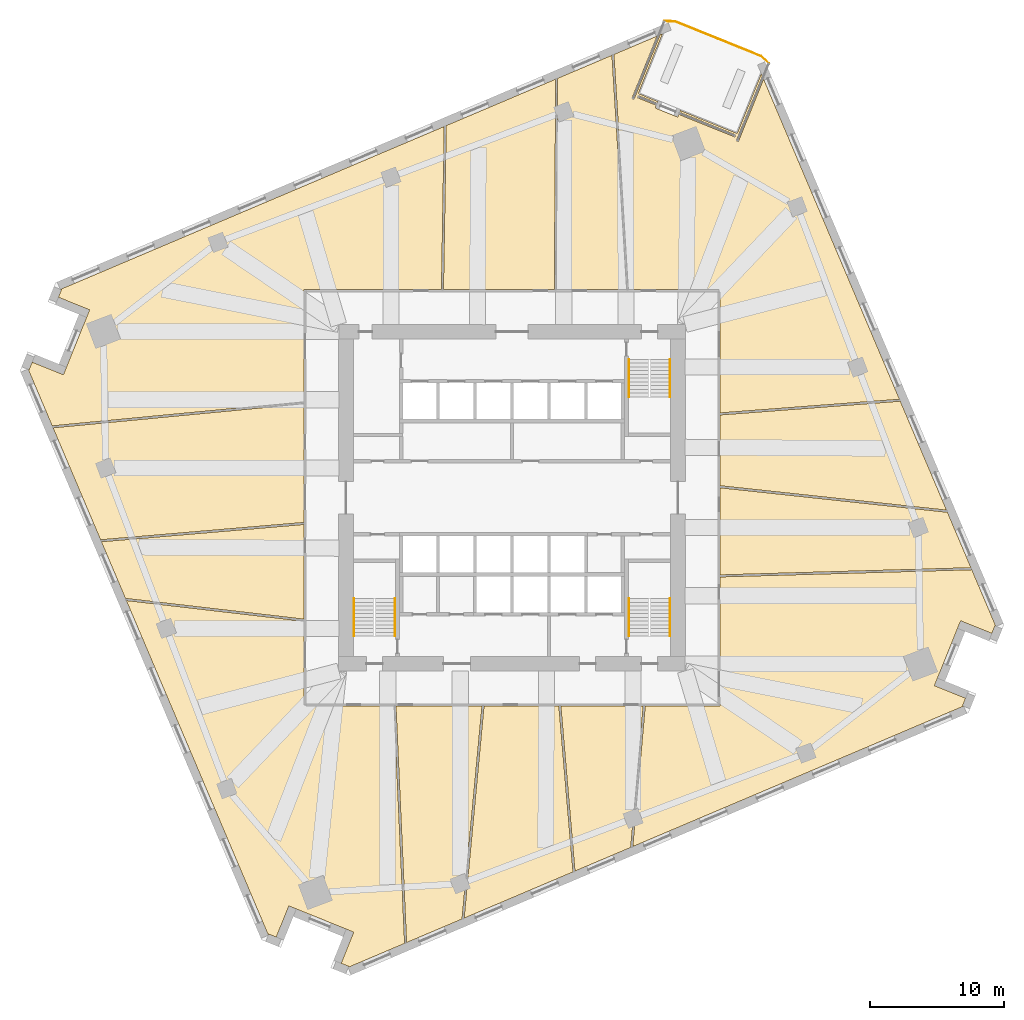
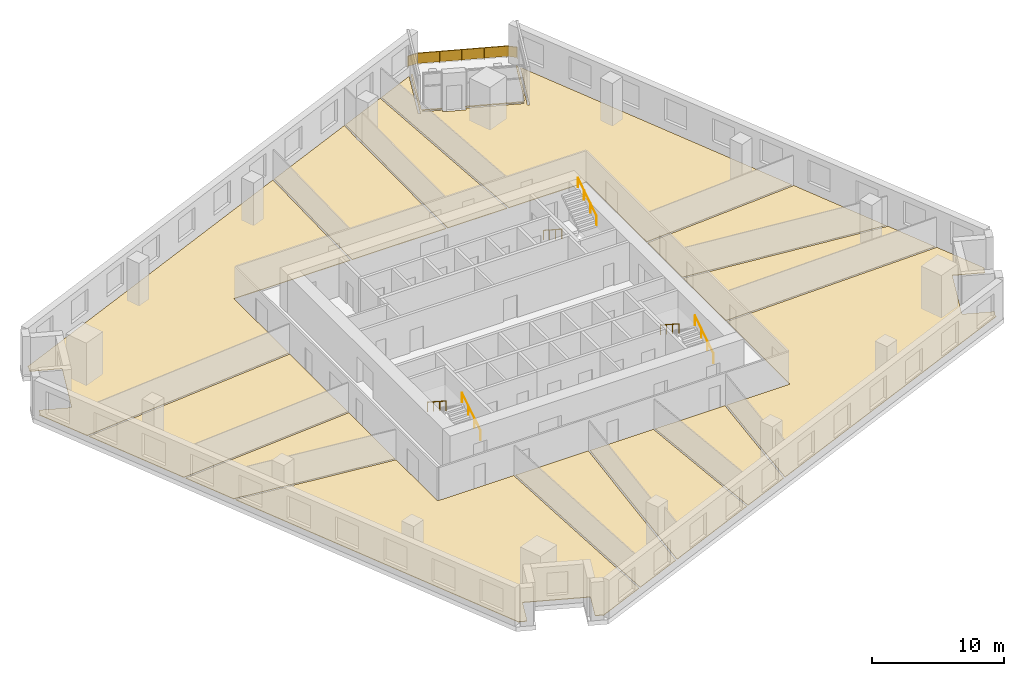
# One storey, part 11 of 12: 13 coverings, 7 railings.
"""IFC4 building model written with IfcOpenShell, lengths in metres."""

from ifc_helpers import new_model, si_unit, direction, frame, origin, origin_2d, place, context, subcontext, project, spatial, polyline, rectangle, circle, outline, extrude, material, layer, layer_set, type_object, element, save


model = new_model("IFC4")

# Units and contexts
model_context = context("Model", 3, precision=1e-05, world=origin(), true_north=direction((0.0, 1.0)))
body_context = subcontext(model_context, "Body", "Model", "MODEL_VIEW")
ifc_project = project(units=[si_unit("LENGTHUNIT", "METRE"), si_unit("AREAUNIT", "SQUARE_METRE"), si_unit("VOLUMEUNIT", "CUBIC_METRE"), si_unit("PLANEANGLEUNIT", "RADIAN"), si_unit("MASSUNIT", "GRAM", prefix="KILO")], contexts=[model_context])

# Site, building, storey
site_placement = place(None, origin())
site = spatial("IfcSite", under=ifc_project, at=site_placement, CompositionType="ELEMENT")
building_placement = place(site_placement, origin())
building = spatial("IfcBuilding", under=site, at=building_placement, Name="Dilmun Exchange Tower", CompositionType="ELEMENT")
storey_placement = place(building_placement, frame((0.0, 0.0, 118.10009765625)))
storey = spatial("IfcBuildingStorey", under=building, at=storey_placement, Name="L27", CompositionType="ELEMENT", Elevation=118.10009765625)

# Coverings
ifc_material_1 = material(Name="Carpet floor finish 50")
ifc_layer_1 = layer(ifc_material_1, 0.050048828125)
ifc_layer_set_1 = layer_set([ifc_layer_1], Name="Carpet floor finish 50")
covering_type_1 = type_object("IfcCoveringType", Name="Carpet floor finish 50", PredefinedType="FLOORING", material=ifc_layer_set_1)
covering_1_placement = place(storey_placement, origin())
element("IfcCovering", 1, at=covering_1_placement, inside=storey, type_object=covering_type_1, Name="Carpet floor finish 50 Analyst office 1", PredefinedType="FLOORING", context=body_context, shape_type="SweptSolid", body=[
    extrude(outline(polyline([(-15.47509765625, 6.990966796875), (-15.47509765625, -1.836669921875), (-30.609375, -3.127197265625), (-34.145263671875, 5.20263671875), (-15.47509765625, 6.990966796875)])), origin(), (0.0, 0.0, 1.0), 0.0498046875),
])
covering_2_placement = place(storey_placement, origin())
element("IfcCovering", 2, at=covering_2_placement, inside=storey, type_object=covering_type_1, Name="Carpet floor finish 50 Meeting room 1", PredefinedType="FLOORING", context=body_context, shape_type="SweptSolid", body=[
    extrude(outline(polyline([(-15.47509765625, -1.987060546875), (-15.47509765625, -9.032470703125), (-28.758544921875, -7.4873046875), (-30.547607421875, -3.272705078125), (-15.47509765625, -1.987060546875)])), origin(), (0.0, 0.0, 1.0), 0.0498046875),
])
covering_3_placement = place(storey_placement, origin())
element("IfcCovering", 3, at=covering_3_placement, inside=storey, type_object=covering_type_1, Name="Carpet floor finish 50 Open office 1", PredefinedType="FLOORING", context=body_context, shape_type="SweptSolid", body=[
    extrude(outline(polyline([(-5.24853515625, 15.47509765625), (-15.47509765625, 15.47509765625), (-15.47509765625, 7.1416015625), (-34.206787109375, 5.347412109375), (-35.99072265625, 9.55029296875), (-35.9248046875, 9.523681640625), (-35.9248046875, 9.523681640625), (-35.924560546875, 9.523681640625), (-35.92431640625, 9.5234375), (-35.924072265625, 9.5234375), (-35.923828125, 9.5234375), (-35.923583984375, 9.523681640625), (-35.923583984375, 9.523681640625), (-35.92333984375, 9.523681640625), (-35.923095703125, 9.523681640625), (-35.923095703125, 9.52392578125), (-35.9228515625, 9.52392578125), (-35.922607421875, 9.524169921875), (-35.922607421875, 9.5244140625), (-35.922607421875, 9.5244140625), (-35.92236328125, 9.524658203125), (-35.92236328125, 9.52490234375), (-35.694091796875, 10.089599609375), (-33.3779296875, 9.154052734375), (-33.377685546875, 9.15380859375), (-33.377685546875, 9.15380859375), (-33.37744140625, 9.15380859375), (-33.377197265625, 9.15380859375), (-33.377197265625, 9.15380859375), (-33.376953125, 9.15380859375), (-33.376708984375, 9.15380859375), (-33.37646484375, 9.154052734375), (-33.376220703125, 9.154052734375), (-33.376220703125, 9.154296875), (-33.3759765625, 9.154296875), (-33.3759765625, 9.154296875), (-33.375732421875, 9.154541015625), (-33.37548828125, 9.15478515625), (-33.37548828125, 9.15478515625), (-33.37548828125, 9.155029296875), (-33.15087890625, 9.7109375), (-33.15087890625, 9.7109375), (-33.150634765625, 9.711181640625), (-33.150634765625, 9.71142578125), (-31.652099609375, 13.420166015625), (-31.652099609375, 13.42041015625), (-31.652099609375, 13.42041015625), (-31.652099609375, 13.42041015625), (-31.427490234375, 13.976318359375), (-31.427490234375, 13.9765625), (-31.427490234375, 13.976806640625), (-31.42724609375, 13.97705078125), (-31.42724609375, 13.977294921875), (-31.42724609375, 13.977294921875), (-31.427490234375, 13.9775390625), (-31.427490234375, 13.977783203125), (-31.427490234375, 13.977783203125), (-31.427490234375, 13.97802734375), (-31.427734375, 13.978271484375), (-31.427734375, 13.978515625), (-31.427978515625, 13.978515625), (-31.427978515625, 13.978759765625), (-31.42822265625, 13.978759765625), (-31.428466796875, 13.97900390625), (-31.4287109375, 13.97900390625), (-33.74462890625, 14.914794921875), (-33.516357421875, 15.479736328125), (-33.516357421875, 15.47998046875), (-33.516357421875, 15.47998046875), (-33.516357421875, 15.480224609375), (-33.51611328125, 15.48046875), (-33.516357421875, 15.480712890625), (-33.516357421875, 15.480712890625), (-33.516357421875, 15.48095703125), (-33.516357421875, 15.481201171875), (-33.5166015625, 15.4814453125), (-33.5166015625, 15.4814453125), (-33.5166015625, 15.481689453125), (-33.516845703125, 15.481689453125), (-33.51708984375, 15.48193359375), (-33.51708984375, 15.482177734375), (-33.517333984375, 15.482177734375), (-33.517578125, 15.482421875), (-33.583251953125, 15.5087890625), (-5.043701171875, 27.623291015625), (-5.24853515625, 15.47509765625)])), origin(), (0.0, 0.0, 1.0), 0.0498046875),
])
covering_4_placement = place(storey_placement, origin())
element("IfcCovering", 4, at=covering_4_placement, inside=storey, type_object=covering_type_1, Name="Carpet floor finish 50 Open office 2", PredefinedType="FLOORING", context=body_context, shape_type="SweptSolid", body=[
    extrude(outline(polyline([(-15.47509765625, -9.183349609375), (-15.47509765625, -15.47509765625), (-8.78125, -15.47509765625), (-7.990234375, -33.15576171875), (-12.172607421875, -34.93115234375), (-12.146240234375, -34.865478515625), (-12.14599609375, -34.865234375), (-12.14599609375, -34.864990234375), (-12.14599609375, -34.86474609375), (-12.14599609375, -34.864501953125), (-12.14599609375, -34.864501953125), (-12.14599609375, -34.8642578125), (-12.14599609375, -34.864013671875), (-12.146240234375, -34.864013671875), (-12.146240234375, -34.86376953125), (-12.146484375, -34.863525390625), (-12.146484375, -34.86328125), (-12.146484375, -34.86328125), (-12.146728515625, -34.863037109375), (-12.14697265625, -34.863037109375), (-12.147216796875, -34.86279296875), (-12.147216796875, -34.86279296875), (-12.712158203125, -34.634521484375), (-11.7763671875, -32.318359375), (-11.7763671875, -32.318359375), (-11.7763671875, -32.318115234375), (-11.7763671875, -32.31787109375), (-11.776123046875, -32.317626953125), (-11.7763671875, -32.3173828125), (-11.7763671875, -32.3173828125), (-11.7763671875, -32.317138671875), (-11.7763671875, -32.31689453125), (-11.776611328125, -32.316650390625), (-11.776611328125, -32.316650390625), (-11.776611328125, -32.31640625), (-11.77685546875, -32.31640625), (-11.777099609375, -32.316162109375), (-11.777099609375, -32.31591796875), (-11.77734375, -32.31591796875), (-11.777587890625, -32.31591796875), (-12.333740234375, -32.091064453125), (-12.333984375, -32.091064453125), (-12.334228515625, -32.0908203125), (-12.334228515625, -32.0908203125), (-16.042236328125, -30.5927734375), (-16.042236328125, -30.5927734375), (-16.04248046875, -30.5927734375), (-16.04248046875, -30.592529296875), (-16.598876953125, -30.367919921875), (-16.59912109375, -30.367919921875), (-16.599365234375, -30.367919921875), (-16.599609375, -30.36767578125), (-16.599609375, -30.36767578125), (-16.599853515625, -30.36767578125), (-16.60009765625, -30.367919921875), (-16.600341796875, -30.367919921875), (-16.600341796875, -30.367919921875), (-16.6005859375, -30.367919921875), (-16.600830078125, -30.3681640625), (-16.600830078125, -30.3681640625), (-16.60107421875, -30.368408203125), (-16.601318359375, -30.368408203125), (-16.601318359375, -30.36865234375), (-16.601318359375, -30.368896484375), (-16.6015625, -30.368896484375), (-17.537353515625, -32.68505859375), (-18.102294921875, -32.456787109375), (-18.102294921875, -32.456787109375), (-18.1025390625, -32.456787109375), (-18.102783203125, -32.456787109375), (-18.102783203125, -32.456787109375), (-18.10302734375, -32.456787109375), (-18.103271484375, -32.456787109375), (-18.103515625, -32.456787109375), (-18.103759765625, -32.456787109375), (-18.10400390625, -32.45703125), (-18.10400390625, -32.45703125), (-18.104248046875, -32.457275390625), (-18.104248046875, -32.457275390625), (-18.1044921875, -32.45751953125), (-18.1044921875, -32.45751953125), (-18.104736328125, -32.457763671875), (-18.104736328125, -32.4580078125), (-18.13134765625, -32.523681640625), (-28.691162109375, -7.646240234375), (-15.47509765625, -9.183349609375)])), origin(), (0.0, 0.0, 1.0), 0.0498046875),
])
covering_5_placement = place(storey_placement, origin())
element("IfcCovering", 5, at=covering_5_placement, inside=storey, type_object=covering_type_1, Name="Carpet floor finish 50 Advisory office", PredefinedType="FLOORING", context=body_context, shape_type="SweptSolid", body=[
    extrude(outline(polyline([(3.1484375, 15.47509765625), (-5.098388671875, 15.47509765625), (-4.892578125, 27.687255859375), (3.248046875, 31.142822265625), (3.1484375, 15.47509765625)])), origin(), (0.0, 0.0, 1.0), 0.0498046875),
])
covering_6_placement = place(storey_placement, origin())
element("IfcCovering", 6, at=covering_6_placement, inside=storey, type_object=covering_type_1, Name="Carpet floor finish 50 Analyst office 2", PredefinedType="FLOORING", context=body_context, shape_type="SweptSolid", body=[
    extrude(outline(polyline([(-2.080810546875, -15.47509765625), (3.4833984375, -15.47509765625), (4.538330078125, -27.837646484375), (-3.56201171875, -31.276123046875), (-2.080810546875, -15.47509765625)])), origin(), (0.0, 0.0, 1.0), 0.0498046875),
])
covering_7_placement = place(storey_placement, origin())
element("IfcCovering", 7, at=covering_7_placement, inside=storey, type_object=covering_type_1, Name="Carpet floor finish 50 Meeting room 2", PredefinedType="FLOORING", context=body_context, shape_type="SweptSolid", body=[
    extrude(outline(polyline([(8.51708984375, 15.47509765625), (3.298583984375, 15.47509765625), (3.3984375, 31.206787109375), (7.435546875, 32.92041015625), (8.51708984375, 15.47509765625)])), origin(), (0.0, 0.0, 1.0), 0.0498046875),
])
covering_8_placement = place(storey_placement, origin())
element("IfcCovering", 8, at=covering_8_placement, inside=storey, type_object=covering_type_1, Name="Carpet floor finish 50 Meeting room 3", PredefinedType="FLOORING", context=body_context, shape_type="SweptSolid", body=[
    extrude(outline(polyline([(3.634033203125, -15.47509765625), (9.7626953125, -15.47509765625), (8.82958984375, -26.01611328125), (4.68359375, -27.77587890625), (3.634033203125, -15.47509765625)])), origin(), (0.0, 0.0, 1.0), 0.0498046875),
])
covering_9_placement = place(storey_placement, origin())
element("IfcCovering", 9, at=covering_9_placement, inside=storey, type_object=covering_type_1, Name="Carpet floor finish 50 Garden lounge", PredefinedType="FLOORING", context=body_context, shape_type="SweptSolid", body=[
    extrude(outline(polyline([(10.847412109375, 29.485107421875), (10.7939453125, 29.3525390625), (9.4150390625, 29.90966796875), (9.414794921875, 29.90966796875), (9.41455078125, 29.90966796875), (9.414306640625, 29.909912109375), (9.414306640625, 29.909912109375), (9.4140625, 29.909912109375), (9.413818359375, 29.90966796875), (9.413818359375, 29.90966796875), (9.41357421875, 29.90966796875), (9.413330078125, 29.909423828125), (9.4130859375, 29.909423828125), (9.4130859375, 29.9091796875), (9.412841796875, 29.9091796875), (9.41259765625, 29.908935546875), (9.41259765625, 29.908935546875), (9.41259765625, 29.90869140625), (9.412353515625, 29.908447265625), (9.3525390625, 29.76025390625), (9.352294921875, 29.760009765625), (9.352294921875, 29.759765625), (9.352294921875, 29.759521484375), (9.352294921875, 29.759521484375), (9.352294921875, 29.75927734375), (9.352294921875, 29.759033203125), (9.352294921875, 29.7587890625), (9.3525390625, 29.758544921875), (9.3525390625, 29.758544921875), (9.352783203125, 29.75830078125), (9.352783203125, 29.758056640625), (9.352783203125, 29.758056640625), (9.35302734375, 29.7578125), (9.353271484375, 29.7578125), (9.353515625, 29.7578125), (9.353515625, 29.757568359375), (10.732421875, 29.200439453125), (10.65087890625, 28.998291015625), (10.650634765625, 28.998291015625), (10.650634765625, 28.998046875), (10.650634765625, 28.997802734375), (10.650634765625, 28.99755859375), (10.650634765625, 28.997314453125), (10.650634765625, 28.997314453125), (10.650634765625, 28.9970703125), (10.65087890625, 28.996826171875), (10.65087890625, 28.99658203125), (10.65087890625, 28.99658203125), (10.651123046875, 28.996337890625), (10.651123046875, 28.99609375), (10.6513671875, 28.99609375), (10.651611328125, 28.99609375), (10.651611328125, 28.995849609375), (10.65185546875, 28.995849609375), (12.32080078125, 28.321533203125), (12.321044921875, 28.3212890625), (12.321044921875, 28.3212890625), (12.3212890625, 28.3212890625), (12.321533203125, 28.3212890625), (12.32177734375, 28.3212890625), (12.322021484375, 28.3212890625), (12.322021484375, 28.3212890625), (12.322265625, 28.321533203125), (12.322509765625, 28.321533203125), (12.322509765625, 28.32177734375), (12.32275390625, 28.32177734375), (12.322998046875, 28.322021484375), (12.322998046875, 28.322021484375), (12.3232421875, 28.322265625), (12.3232421875, 28.322509765625), (12.323486328125, 28.322509765625), (12.405029296875, 28.524658203125), (16.5654296875, 26.84375), (16.565673828125, 26.84375), (16.56591796875, 26.84375), (16.56591796875, 26.843505859375), (16.566162109375, 26.843505859375), (16.56640625, 26.843505859375), (16.56640625, 26.84375), (16.566650390625, 26.84375), (16.56689453125, 26.84375), (16.567138671875, 26.843994140625), (16.5673828125, 26.843994140625), (16.5673828125, 26.843994140625), (16.567626953125, 26.84423828125), (16.567626953125, 26.844482421875), (16.56787109375, 26.844482421875), (16.56787109375, 26.8447265625), (16.568115234375, 26.844970703125), (16.6279296875, 26.9931640625), (16.6279296875, 26.993408203125), (16.6279296875, 26.99365234375), (16.628173828125, 26.993896484375), (16.628173828125, 26.993896484375), (16.628173828125, 26.994140625), (16.6279296875, 26.994384765625), (16.6279296875, 26.99462890625), (16.6279296875, 26.994873046875), (16.627685546875, 26.994873046875), (16.627685546875, 26.9951171875), (16.627685546875, 26.995361328125), (16.62744140625, 26.995361328125), (16.627197265625, 26.99560546875), (16.627197265625, 26.99560546875), (16.626953125, 26.99560546875), (16.626708984375, 26.995849609375), (12.466552734375, 28.6767578125), (12.52001953125, 28.809326171875), (16.75, 27.100341796875), (18.546142578125, 31.54638671875), (18.625244140625, 31.360107421875), (16.685791015625, 26.56005859375), (16.685791015625, 26.559814453125), (16.685791015625, 26.5595703125), (16.685791015625, 26.559326171875), (16.685791015625, 26.559326171875), (16.685791015625, 26.55908203125), (16.685791015625, 26.558837890625), (16.685791015625, 26.55859375), (16.685791015625, 26.55859375), (16.68603515625, 26.558349609375), (16.68603515625, 26.55810546875), (16.686279296875, 26.55810546875), (16.686279296875, 26.557861328125), (16.6865234375, 26.5576171875), (16.6865234375, 26.5576171875), (16.686767578125, 26.5576171875), (16.68701171875, 26.557373046875), (16.835205078125, 26.49755859375), (16.83544921875, 26.497314453125), (16.835693359375, 26.497314453125), (16.8359375, 26.497314453125), (16.836181640625, 26.497314453125), (16.836181640625, 26.497314453125), (16.83642578125, 26.497314453125), (16.836669921875, 26.497314453125), (16.8369140625, 26.49755859375), (16.8369140625, 26.49755859375), (16.837158203125, 26.497802734375), (16.83740234375, 26.497802734375), (16.83740234375, 26.497802734375), (16.837646484375, 26.498046875), (16.837646484375, 26.498291015625), (16.837890625, 26.498291015625), (16.837890625, 26.49853515625), (18.7158203125, 31.146484375), (28.826171875, 7.32861328125), (15.47509765625, 6.310791015625), (15.47509765625, 15.47509765625), (8.66748046875, 15.47509765625), (7.58203125, 32.982421875), (10.795654296875, 34.3466796875), (8.917724609375, 29.698486328125), (8.917724609375, 29.6982421875), (8.917724609375, 29.697998046875), (8.91748046875, 29.697998046875), (8.91748046875, 29.69775390625), (8.91748046875, 29.697509765625), (8.917724609375, 29.697509765625), (8.917724609375, 29.697265625), (8.917724609375, 29.697021484375), (8.91796875, 29.69677734375), (8.91796875, 29.696533203125), (8.918212890625, 29.696533203125), (8.918212890625, 29.6962890625), (8.91845703125, 29.6962890625), (8.91845703125, 29.696044921875), (8.918701171875, 29.696044921875), (8.9189453125, 29.69580078125), (9.067138671875, 29.635986328125), (9.0673828125, 29.635986328125), (9.067626953125, 29.635986328125), (9.06787109375, 29.6357421875), (9.068115234375, 29.6357421875), (9.068115234375, 29.6357421875), (9.068359375, 29.635986328125), (9.068603515625, 29.635986328125), (9.06884765625, 29.635986328125), (9.06884765625, 29.635986328125), (9.069091796875, 29.63623046875), (9.0693359375, 29.63623046875), (9.0693359375, 29.636474609375), (9.069580078125, 29.63671875), (9.069580078125, 29.63671875), (9.069580078125, 29.636962890625), (9.06982421875, 29.63720703125), (11.00927734375, 34.437255859375), (11.1953125, 34.516357421875), (9.399169921875, 30.0703125), (10.847412109375, 29.485107421875)])), origin(), (0.0, 0.0, 1.0), 0.0498046875),
])
covering_10_placement = place(storey_placement, origin())
element("IfcCovering", 10, at=covering_10_placement, inside=storey, type_object=covering_type_1, Name="Carpet floor finish 50 Open office 3", PredefinedType="FLOORING", context=body_context, shape_type="SweptSolid", body=[
    extrude(outline(polyline([(9.913330078125, -15.47509765625), (15.47509765625, -15.47509765625), (15.47509765625, -5.889404296875), (34.20947265625, -5.35400390625), (35.99072265625, -9.55029296875), (35.9248046875, -9.523681640625), (35.9248046875, -9.523681640625), (35.924560546875, -9.523681640625), (35.92431640625, -9.5234375), (35.924072265625, -9.5234375), (35.923828125, -9.5234375), (35.923583984375, -9.523681640625), (35.923583984375, -9.523681640625), (35.92333984375, -9.523681640625), (35.923095703125, -9.523681640625), (35.923095703125, -9.52392578125), (35.9228515625, -9.52392578125), (35.922607421875, -9.524169921875), (35.922607421875, -9.5244140625), (35.922607421875, -9.5244140625), (35.92236328125, -9.524658203125), (35.92236328125, -9.52490234375), (35.694091796875, -10.089599609375), (33.3779296875, -9.154052734375), (33.377685546875, -9.15380859375), (33.377685546875, -9.15380859375), (33.37744140625, -9.15380859375), (33.377197265625, -9.15380859375), (33.377197265625, -9.15380859375), (33.376953125, -9.15380859375), (33.376708984375, -9.15380859375), (33.37646484375, -9.154052734375), (33.376220703125, -9.154052734375), (33.376220703125, -9.154296875), (33.3759765625, -9.154296875), (33.3759765625, -9.154296875), (33.375732421875, -9.154541015625), (33.37548828125, -9.15478515625), (33.37548828125, -9.15478515625), (33.37548828125, -9.155029296875), (33.15087890625, -9.7109375), (33.15087890625, -9.7109375), (33.150634765625, -9.711181640625), (33.150634765625, -9.71142578125), (31.652099609375, -13.420166015625), (31.652099609375, -13.42041015625), (31.652099609375, -13.42041015625), (31.652099609375, -13.42041015625), (31.427490234375, -13.976318359375), (31.427490234375, -13.9765625), (31.427490234375, -13.976806640625), (31.42724609375, -13.97705078125), (31.42724609375, -13.977294921875), (31.42724609375, -13.977294921875), (31.427490234375, -13.9775390625), (31.427490234375, -13.977783203125), (31.427490234375, -13.977783203125), (31.427490234375, -13.97802734375), (31.427734375, -13.978271484375), (31.427734375, -13.978515625), (31.427978515625, -13.978515625), (31.427978515625, -13.978759765625), (31.42822265625, -13.978759765625), (31.428466796875, -13.97900390625), (31.4287109375, -13.97900390625), (33.74462890625, -14.914794921875), (33.516357421875, -15.479736328125), (33.516357421875, -15.47998046875), (33.516357421875, -15.47998046875), (33.516357421875, -15.480224609375), (33.51611328125, -15.48046875), (33.516357421875, -15.480712890625), (33.516357421875, -15.480712890625), (33.516357421875, -15.48095703125), (33.516357421875, -15.481201171875), (33.5166015625, -15.4814453125), (33.5166015625, -15.4814453125), (33.5166015625, -15.481689453125), (33.516845703125, -15.481689453125), (33.51708984375, -15.48193359375), (33.51708984375, -15.482177734375), (33.517333984375, -15.482177734375), (33.517578125, -15.482421875), (33.583251953125, -15.5087890625), (8.986083984375, -25.94970703125), (9.913330078125, -15.47509765625)])), origin(), (0.0, 0.0, 1.0), 0.0498046875),
])
covering_11_placement = place(storey_placement, origin())
element("IfcCovering", 11, at=covering_11_placement, inside=storey, type_object=covering_type_1, Name="Carpet floor finish 50 Break-out lounge", PredefinedType="FLOORING", context=body_context, shape_type="SweptSolid", body=[
    extrude(outline(polyline([(15.47509765625, 0.894287109375), (15.47509765625, 6.160400390625), (28.887939453125, 7.182861328125), (32.32763671875, -0.9208984375), (15.47509765625, 0.894287109375)])), origin(), (0.0, 0.0, 1.0), 0.0498046875),
])
covering_12_placement = place(storey_placement, origin())
element("IfcCovering", 12, at=covering_12_placement, inside=storey, type_object=covering_type_1, Name="Carpet floor finish 50 Analyst office 3", PredefinedType="FLOORING", context=body_context, shape_type="SweptSolid", body=[
    extrude(outline(polyline([(15.47509765625, -5.739501953125), (15.47509765625, 0.74365234375), (32.394775390625, -1.078857421875), (34.146484375, -5.20556640625), (15.47509765625, -5.739501953125)])), origin(), (0.0, 0.0, 1.0), 0.0498046875),
])

# Railings
ifc_material_2 = material(Name="Stainless steel", Category="steel")
railing_type_1 = type_object("IfcRailingType", Name="Stair handrail 900", PredefinedType="HANDRAIL", material=ifc_material_2)
railing_1_placement = place(storey_placement, frame((8.699951171875, 10.300048828125, 0.181640625)))
element("IfcRailing", 13, at=railing_1_placement, inside=storey, type_object=railing_type_1, Name="L27 ST1 stair handrail 1", PredefinedType="HANDRAIL", context=body_context, shape_type="SweptSolid", body=[
    extrude(circle(Radius=0.02392578125, at=origin_2d()), frame((0.0, 0.0, 0.8759765625), z_axis=(0.0, -0.838672427954, 0.544636170843), x_axis=(1.0, 0.0, 0.0)), (0.0, 0.0, 1.0), 3.338623046875),
    extrude(circle(Radius=0.02099609375, at=origin_2d()), origin(), (0.0, 0.0, 1.0), 0.851806640625),
    extrude(circle(Radius=0.02099609375, at=origin_2d()), frame((0.0, -0.933349609375, 0.606201171875)), (0.0, 0.0, 1.0), 0.851806640625),
    extrude(circle(Radius=0.02099609375, at=origin_2d()), frame((0.0, -1.86669921875, 1.212158203125)), (0.0, 0.0, 1.0), 0.851806640625),
    extrude(circle(Radius=0.02099609375, at=origin_2d()), frame((0.0, -2.800048828125, 1.818359375)), (0.0, 0.0, 1.0), 0.851806640625),
])
for number, where, name in (
    (14, (11.75, 7.5, 2.181640625), "L27 ST1 stair handrail 2"),
    (15, (-8.699951171875, -10.300048828125, 0.181640625), "L27 ST2 stair handrail 1"),
):
    element("IfcRailing", number, at=place(storey_placement, frame(where)), inside=storey, type_object=railing_type_1, Name=name, PredefinedType="HANDRAIL", context=body_context, shape_type="SweptSolid", body=[
        extrude(circle(Radius=0.02392578125, at=origin_2d()), frame((0.0, 0.0, 0.8759765625), z_axis=(0.0, 0.838672427954, 0.544636170843), x_axis=(-1.0, 0.0, 0.0)), (0.0, 0.0, 1.0), 3.338623046875),
        extrude(circle(Radius=0.02099609375, at=origin_2d()), origin(), (0.0, 0.0, 1.0), 0.851806640625),
        extrude(circle(Radius=0.02099609375, at=origin_2d()), frame((0.0, 0.933349609375, 0.606201171875)), (0.0, 0.0, 1.0), 0.851806640625),
        extrude(circle(Radius=0.02099609375, at=origin_2d()), frame((0.0, 1.86669921875, 1.212158203125)), (0.0, 0.0, 1.0), 0.851806640625),
        extrude(circle(Radius=0.02099609375, at=origin_2d()), frame((0.0, 2.800048828125, 1.818359375)), (0.0, 0.0, 1.0), 0.851806640625),
    ])
railing_2_placement = place(storey_placement, frame((-11.75, -7.5, 2.181640625)))
element("IfcRailing", 16, at=railing_2_placement, inside=storey, type_object=railing_type_1, Name="L27 ST2 stair handrail 2", PredefinedType="HANDRAIL", context=body_context, shape_type="SweptSolid", body=[
    extrude(circle(Radius=0.02392578125, at=origin_2d()), frame((0.0, 0.0, 0.8759765625), z_axis=(0.0, -0.838672427954, 0.544636170843), x_axis=(1.0, 0.0, 0.0)), (0.0, 0.0, 1.0), 3.338623046875),
    extrude(circle(Radius=0.02099609375, at=origin_2d()), origin(), (0.0, 0.0, 1.0), 0.851806640625),
    extrude(circle(Radius=0.02099609375, at=origin_2d()), frame((0.0, -0.933349609375, 0.606201171875)), (0.0, 0.0, 1.0), 0.851806640625),
    extrude(circle(Radius=0.02099609375, at=origin_2d()), frame((0.0, -1.86669921875, 1.212158203125)), (0.0, 0.0, 1.0), 0.851806640625),
    extrude(circle(Radius=0.02099609375, at=origin_2d()), frame((0.0, -2.800048828125, 1.818359375)), (0.0, 0.0, 1.0), 0.851806640625),
])
railing_3_placement = place(storey_placement, frame((11.75, -10.300048828125, 0.181640625)))
element("IfcRailing", 17, at=railing_3_placement, inside=storey, type_object=railing_type_1, Name="L27 ST3 stair handrail 1", PredefinedType="HANDRAIL", context=body_context, shape_type="SweptSolid", body=[
    extrude(circle(Radius=0.02392578125, at=origin_2d()), frame((0.0, 0.0, 0.8759765625), z_axis=(0.0, 0.838672427954, 0.544636170843), x_axis=(-1.0, 0.0, 0.0)), (0.0, 0.0, 1.0), 3.338623046875),
    extrude(circle(Radius=0.02099609375, at=origin_2d()), origin(), (0.0, 0.0, 1.0), 0.851806640625),
    extrude(circle(Radius=0.02099609375, at=origin_2d()), frame((0.0, 0.933349609375, 0.606201171875)), (0.0, 0.0, 1.0), 0.851806640625),
    extrude(circle(Radius=0.02099609375, at=origin_2d()), frame((0.0, 1.86669921875, 1.212158203125)), (0.0, 0.0, 1.0), 0.851806640625),
    extrude(circle(Radius=0.02099609375, at=origin_2d()), frame((0.0, 2.800048828125, 1.818359375)), (0.0, 0.0, 1.0), 0.851806640625),
])
railing_4_placement = place(storey_placement, frame((8.699951171875, -7.5, 2.181640625)))
element("IfcRailing", 18, at=railing_4_placement, inside=storey, type_object=railing_type_1, Name="L27 ST3 stair handrail 2", PredefinedType="HANDRAIL", context=body_context, shape_type="SweptSolid", body=[
    extrude(circle(Radius=0.02392578125, at=origin_2d()), frame((0.0, 0.0, 0.8759765625), z_axis=(0.0, -0.838672427954, 0.544636170843), x_axis=(1.0, 0.0, 0.0)), (0.0, 0.0, 1.0), 3.338623046875),
    extrude(circle(Radius=0.02099609375, at=origin_2d()), origin(), (0.0, 0.0, 1.0), 0.851806640625),
    extrude(circle(Radius=0.02099609375, at=origin_2d()), frame((0.0, -0.933349609375, 0.606201171875)), (0.0, 0.0, 1.0), 0.851806640625),
    extrude(circle(Radius=0.02099609375, at=origin_2d()), frame((0.0, -1.86669921875, 1.212158203125)), (0.0, 0.0, 1.0), 0.851806640625),
    extrude(circle(Radius=0.02099609375, at=origin_2d()), frame((0.0, -2.800048828125, 1.818359375)), (0.0, 0.0, 1.0), 0.851806640625),
])

# Covering
ifc_material_3 = material(Name="Stone floor finish 50", Category="masonry")
ifc_layer_2 = layer(ifc_material_3, 0.050048828125)
ifc_layer_set_2 = layer_set([ifc_layer_2], Name="Stone floor finish 50")
covering_type_2 = type_object("IfcCoveringType", Name="Stone floor finish 50", PredefinedType="FLOORING", material=ifc_layer_set_2)
covering_13_placement = place(storey_placement, origin())
element("IfcCovering", 19, at=covering_13_placement, inside=storey, type_object=covering_type_2, Name="Stone floor finish 50 Reception", PredefinedType="FLOORING", context=body_context, shape_type="SweptSolid", body=[
    extrude(outline(polyline([(-8.631103515625, -15.47509765625), (-2.2314453125, -15.47509765625), (-3.718994140625, -31.3427734375), (-7.843017578125, -33.09326171875), (-8.631103515625, -15.47509765625)])), origin(), (0.0, 0.0, 1.0), 0.0498046875),
])

# Railing
railing_type_2 = type_object("IfcRailingType", Name="Terrace guard 1100 stainless steel", PredefinedType="GUARDRAIL", material=ifc_material_2)
railing_5_placement = place(storey_placement, frame((11.333740234375, 35.45947265625, 0.0)))
element("IfcRailing", 20, at=railing_5_placement, inside=storey, type_object=railing_type_2, Name="Terrace guard 1", PredefinedType="GUARDRAIL", context=body_context, shape_type="SweptSolid", body=[
    extrude(circle(Radius=0.02392578125, at=origin_2d()), frame((0.0, 0.0, 1.076171875), z_axis=(0.999564560662, -0.029507440905, 0.0), x_axis=(0.029507440905, 0.999564560662, 0.0)), (0.0, 0.0, 1.0), 0.794189453125),
    extrude(rectangle(XDim=0.011962890625, YDim=0.951904296875, at=origin_2d()), frame((0.0, 0.0, 0.576171875), z_axis=(0.999564560662, -0.029507440905, 0.0), x_axis=(0.029507440905, 0.999564560662, 0.0)), (0.0, 0.0, 1.0), 0.794189453125),
    extrude(circle(Radius=0.02392578125, at=origin_2d()), frame((0.7939453125, -0.0234375, 1.076171875), z_axis=(0.927187868531, -0.374596658353, 0.0), x_axis=(0.374596658353, 0.927187868531, 0.0)), (0.0, 0.0, 1.0), 6.88818359375),
    extrude(rectangle(XDim=0.011962890625, YDim=0.951904296875, at=origin_2d()), frame((0.7939453125, -0.0234375, 0.576171875), z_axis=(0.927187868531, -0.374596658353, 0.0), x_axis=(0.374596658353, 0.927187868531, 0.0)), (0.0, 0.0, 1.0), 6.88818359375),
    extrude(circle(Radius=0.02392578125, at=origin_2d()), frame((7.1806640625, -2.603759765625, 1.076171875), z_axis=(0.739369699024, -0.673299671888, 0.0), x_axis=(0.673299671888, 0.739369699024, 0.0)), (0.0, 0.0, 1.0), 0.79443359375),
    extrude(rectangle(XDim=0.011962890625, YDim=0.951904296875, at=origin_2d()), frame((7.1806640625, -2.603759765625, 0.576171875), z_axis=(0.739369699024, -0.673299671888, 0.0), x_axis=(0.673299671888, 0.739369699024, 0.0)), (0.0, 0.0, 1.0), 0.79443359375),
    extrude(circle(Radius=0.02099609375, at=origin_2d()), origin(), (0.0, 0.0, 1.0), 1.052001953125),
    extrude(circle(Radius=0.02099609375, at=origin_2d()), frame((0.7939453125, -0.0234375, 0.0)), (0.0, 0.0, 1.0), 1.052001953125),
    extrude(circle(Radius=0.02099609375, at=origin_2d()), frame((2.390625, -0.66845703125, 0.0)), (0.0, 0.0, 1.0), 1.052001953125),
    extrude(circle(Radius=0.02099609375, at=origin_2d()), frame((3.9873046875, -1.3134765625, 0.0)), (0.0, 0.0, 1.0), 1.052001953125),
    extrude(circle(Radius=0.02099609375, at=origin_2d()), frame((5.583984375, -1.958740234375, 0.0)), (0.0, 0.0, 1.0), 1.052001953125),
    extrude(circle(Radius=0.02099609375, at=origin_2d()), frame((7.1806640625, -2.603759765625, 0.0)), (0.0, 0.0, 1.0), 1.052001953125),
    extrude(circle(Radius=0.02099609375, at=origin_2d()), frame((7.76806640625, -3.138671875, 0.0)), (0.0, 0.0, 1.0), 1.052001953125),
])

save(model, "model.ifc")
